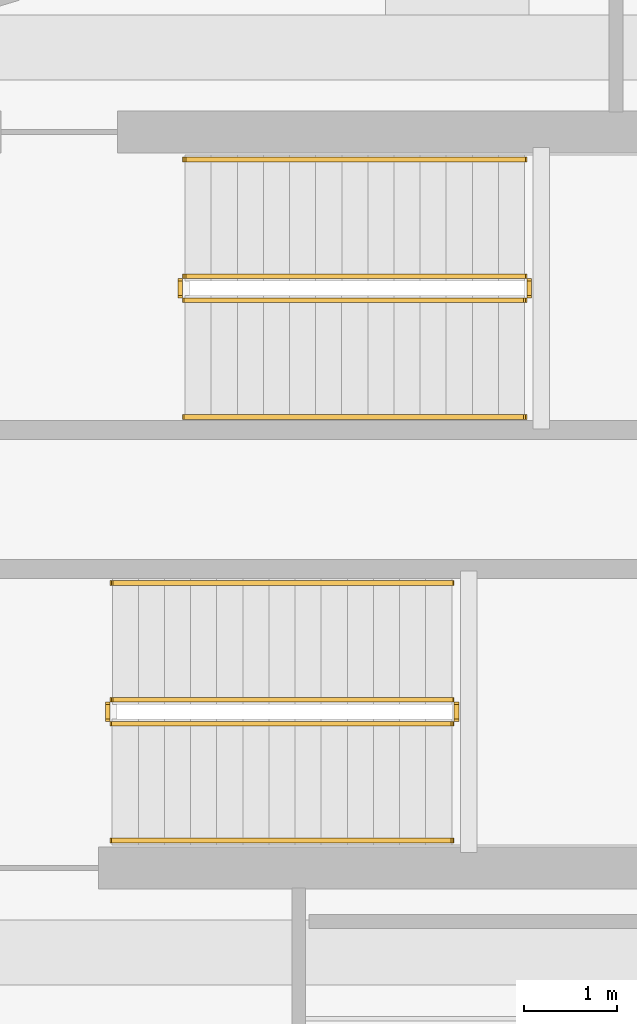
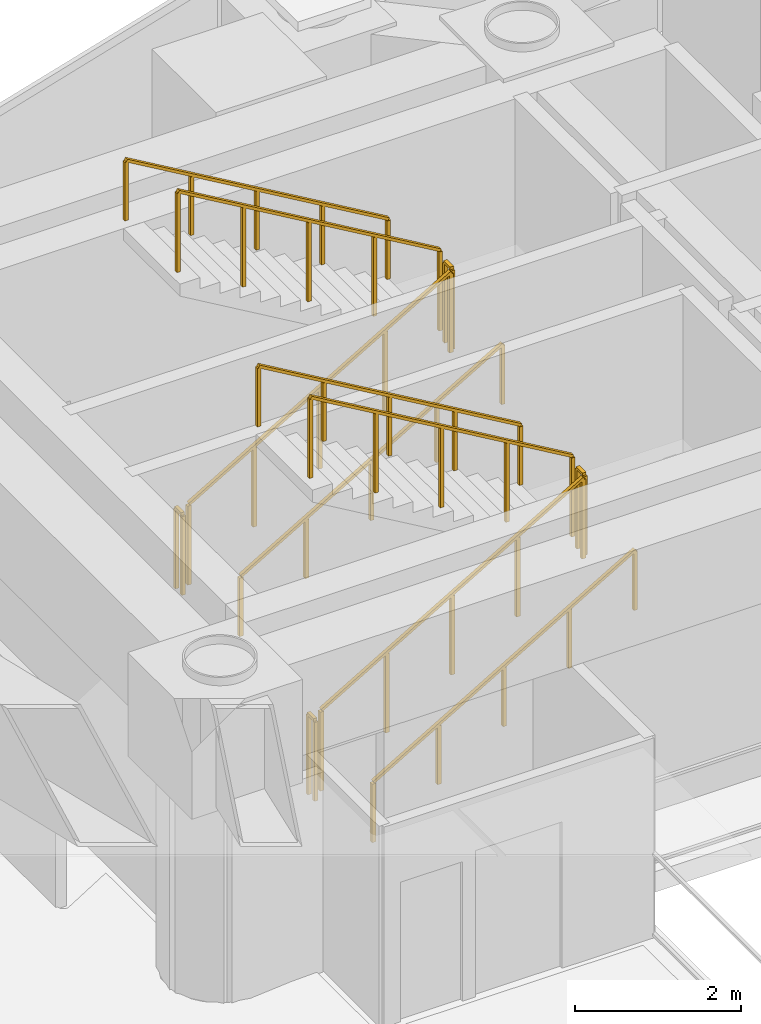
# One storey, part 20 of 20: 12 railings.
"""IFC4 building model written with IfcOpenShell, lengths in metres."""

import ifcopenshell
import ifcopenshell.guid

model = None  # the IFC model being written
_history = None  # IfcOwnerHistory: only IFC2X3 demands one
_inside = {}  # id of a spatial element -> (the spatial element, [elements in it])
_under = {}  # id of a project, library or spatial element -> (it, [spatial elements below it])
_declared = {}  # id of a project -> (the project, [libraries it declares])
_typed = {}  # id of a type object -> (the type object, [elements of that type])
_made_of = {}  # id of a material, layer set ... -> (it, [elements and type objects made of it])


def new_model(schema):
    """Start an empty IFC model of exactly this schema.

    Asked for "IFC4X3", IfcOpenShell would pick the latest addendum, in which some entities
    have other attributes; the version numbers below select the first issue.
    IFC2X3 requires an IfcOwnerHistory on every rooted entity: one is made here for all.
    """
    global model, _history
    if schema == "IFC4X3":
        model = ifcopenshell.file(schema_version=(4, 3, 0, 0))
    else:
        model = ifcopenshell.file(schema=schema)
    _inside.clear()
    _under.clear()
    _declared.clear()
    _typed.clear()
    _made_of.clear()
    _history = None
    if model.schema == "IFC2X3":
        org = make("IfcOrganization", Name="unknown")
        user = make(
            "IfcPersonAndOrganization",
            ThePerson=make("IfcPerson", FamilyName="unknown"),
            TheOrganization=org,
        )
        app = make(
            "IfcApplication",
            ApplicationDeveloper=org,
            Version="unknown",
            ApplicationFullName="unknown",
            ApplicationIdentifier="unknown",
        )
        _history = make(
            "IfcOwnerHistory",
            OwningUser=user,
            OwningApplication=app,
            ChangeAction="ADDED",
            CreationDate=0,
        )
    return model


def make(cls, **values):
    """One entity of the class cls with the attributes given. An attribute that is None is left unset."""
    return model.create_entity(
        cls, **{name: value for name, value in values.items() if value is not None}
    )


def rooted(cls, **values):
    """An entity with a GlobalId (a new one), such as an element, a storey or a relation."""
    return make(cls, GlobalId=ifcopenshell.guid.new(), OwnerHistory=_history, **values)


def si_unit(unit_type, name, prefix=None):
    """IfcSIUnit, for example si_unit("LENGTHUNIT", "METRE", prefix="MILLI")."""
    return make("IfcSIUnit", UnitType=unit_type, Prefix=prefix, Name=name)


def assignment(units):
    """IfcUnitAssignment: the units of a project."""
    return None if units is None else make("IfcUnitAssignment", Units=units)


def point(xyz):
    """IfcCartesianPoint."""
    return None if xyz is None else make("IfcCartesianPoint", Coordinates=xyz)


def direction(xyz):
    """IfcDirection."""
    return None if xyz is None else make("IfcDirection", DirectionRatios=xyz)


def frame(location, z_axis=None, x_axis=None):
    """IfcAxis2Placement3D, a coordinate frame: its origin and axes. An axis left out is left unset."""
    return make(
        "IfcAxis2Placement3D",
        Location=point(location),
        Axis=direction(z_axis),
        RefDirection=direction(x_axis),
    )


def frame_2d(location, x_axis=None):
    """IfcAxis2Placement2D, a coordinate frame in the plane: its origin and x axis."""
    return make(
        "IfcAxis2Placement2D", Location=point(location), RefDirection=direction(x_axis)
    )


def origin():
    """The frame at (0, 0, 0) with its axes left unset."""
    return frame((0.0, 0.0, 0.0))


def origin_2d():
    """The frame at (0, 0) in the plane with its x axis left unset."""
    return frame_2d((0.0, 0.0))


def place(relative_to, where):
    """IfcLocalPlacement: puts the frame where relative to a parent placement (None: the world)."""
    return make(
        "IfcLocalPlacement", PlacementRelTo=relative_to, RelativePlacement=where
    )


def context(
    kind, dimensions, precision=None, world=None, true_north=None, identifier=None
):
    """IfcGeometricRepresentationContext, for example the 3D "Model" context."""
    return make(
        "IfcGeometricRepresentationContext",
        ContextIdentifier=identifier,
        ContextType=kind,
        CoordinateSpaceDimension=dimensions,
        Precision=precision,
        WorldCoordinateSystem=world,
        TrueNorth=true_north,
    )


def subcontext(parent, identifier, kind, view, scale=None):
    """IfcGeometricRepresentationSubContext, for example "Body" below "Model"."""
    return make(
        "IfcGeometricRepresentationSubContext",
        ContextIdentifier=identifier,
        ContextType=kind,
        ParentContext=parent,
        TargetScale=scale,
        TargetView=view,
    )


def project(units=None, contexts=None):
    """IfcProject with its units and contexts."""
    return rooted(
        "IfcProject",
        Name="project",
        RepresentationContexts=contexts,
        UnitsInContext=assignment(units),
    )


def spatial(cls, under=None, at=None, **own):
    """A site, building, storey or space (cls), placed at a placement, below another one or the project."""
    s = rooted(cls, ObjectPlacement=at, **own)
    if under is not None:
        _under.setdefault(under.id(), (under, []))[1].append(s)
    return s


def profile(cls, at=None, kind="AREA", **sizes):
    """A parametric profile (cls). Its sizes go by their IFC names, for example OverallWidth=200.0."""
    return make(cls, ProfileType=kind, Position=at, **sizes)


def rectangle(**sizes):
    """IfcRectangleProfileDef."""
    return profile("IfcRectangleProfileDef", **sizes)


def extrude(swept, where, along, depth):
    """IfcExtrudedAreaSolid: the profile swept, set in the frame where, extruded along a direction by depth."""
    return make(
        "IfcExtrudedAreaSolid",
        SweptArea=swept,
        Position=where,
        ExtrudedDirection=direction(along),
        Depth=depth,
    )


def shape(context_of_items, identifier, shape_type, items):
    """IfcShapeRepresentation: the items that make up one representation, for example the "Body"."""
    return make(
        "IfcShapeRepresentation",
        ContextOfItems=context_of_items,
        RepresentationIdentifier=identifier,
        RepresentationType=shape_type,
        Items=items,
    )


def material(Name=None, Category=None):
    """IfcMaterial."""
    return make("IfcMaterial", Name=Name, Category=Category)


def made_of(thing, what):
    """Note that an element or type object is made of a material, layer set ...; save() writes the relation."""
    if what is not None:
        _made_of.setdefault(what.id(), (what, []))[1].append(thing)
    return thing


def type_object(cls, material=None, **own):
    """A type object (cls), such as IfcWallType, which elements share."""
    return made_of(rooted(cls, **own), material)


def element(
    cls,
    number,
    at=None,
    inside=None,
    cuts=None,
    type_object=None,
    material=None,
    context=None,
    identifier="Body",
    shape_type=None,
    held_by="IfcProductDefinitionShape",
    body=None,
    shapes=None,
    **own,
):
    """One element of the class cls, such as IfcWall. Its Tag is "e" and its number.

    at: its placement. inside: the storey or other place that contains it. cuts: it is an
    opening in that element (IfcRelVoidsElement). A single representation is given by context,
    identifier, shape_type and body (its items); several are given by shapes. held_by: the class
    of the entity that holds the representations. save() writes the other relations.
    """
    e = rooted(cls, Tag="e%d" % number, ObjectPlacement=at, **own)
    if body is not None:
        shapes = [shape(context, identifier, shape_type, body)]
    if shapes is not None:
        e.Representation = make(held_by, Representations=shapes)
    if inside is not None:
        _inside.setdefault(inside.id(), (inside, []))[1].append(e)
    if cuts is not None:
        rooted(
            "IfcRelVoidsElement", RelatingBuildingElement=cuts, RelatedOpeningElement=e
        )
    if type_object is not None:
        _typed.setdefault(type_object.id(), (type_object, []))[1].append(e)
    return made_of(e, material)


def aggregate(whole, parts):
    """IfcRelAggregates: a whole, such as a stair, and the parts it consists of."""
    return rooted("IfcRelAggregates", RelatingObject=whole, RelatedObjects=parts)


def save(model, path):
    """Write the relations noted so far, then the file.

    IfcRelAggregates (storeys below a building ...), IfcRelContainedInSpatialStructure (elements
    in a storey), IfcRelDefinesByType, IfcRelAssociatesMaterial and IfcRelDeclares: one each for
    every whole, place, type object, material and project.
    """
    for whole, parts in _under.values():
        aggregate(whole, parts)
    for where, things in _inside.values():
        rooted(
            "IfcRelContainedInSpatialStructure",
            RelatedElements=things,
            RelatingStructure=where,
        )
    for kind, things in _typed.values():
        rooted("IfcRelDefinesByType", RelatedObjects=things, RelatingType=kind)
    for what, things in _made_of.values():
        rooted("IfcRelAssociatesMaterial", RelatedObjects=things, RelatingMaterial=what)
    for by, libraries in _declared.values():
        rooted("IfcRelDeclares", RelatingContext=by, RelatedDefinitions=libraries)
    model.write(path)


model = new_model("IFC4")

# Units and contexts
model_context = context("Model", 3, precision=1e-05, world=origin(), true_north=direction((0.0, 1.0)))
body_context = subcontext(model_context, "Body", "Model", "MODEL_VIEW")
ifc_project = project(units=[si_unit("LENGTHUNIT", "METRE"), si_unit("AREAUNIT", "SQUARE_METRE"), si_unit("VOLUMEUNIT", "CUBIC_METRE"), si_unit("PLANEANGLEUNIT", "RADIAN"), si_unit("MASSUNIT", "GRAM", prefix="KILO")], contexts=[model_context])

# Site, building, storey
site_placement = place(None, origin())
site = spatial("IfcSite", under=ifc_project, at=site_placement, CompositionType="ELEMENT")
building_placement = place(site_placement, origin())
building = spatial("IfcBuilding", under=site, at=building_placement, Name="Qianvela Tower", CompositionType="ELEMENT")
storey_placement = place(building_placement, frame((0.0, 0.0, 321.300048828125)))
storey = spatial("IfcBuildingStorey", under=building, at=storey_placement, Name="L83", CompositionType="ELEMENT", Elevation=321.300048828125)

# Railings
ifc_material_1 = material(Name="Painted Tubular Steel Q355B", Category="steel")
railing_type_1 = type_object("IfcRailingType", Name="RL-STAIR-GUARD-1200", PredefinedType="GUARDRAIL", material=ifc_material_1)
railing_1_placement = place(storey_placement, frame((32.199951171875, 30.840087890625, 0.164306640625)))
element("IfcRailing", 1, at=railing_1_placement, inside=storey, type_object=railing_type_1, Name="L83 ST-1 stair guard 1", PredefinedType="GUARDRAIL", context=body_context, shape_type="SweptSolid", body=[
    extrude(rectangle(XDim=0.050048828125, YDim=0.0400390625, at=origin_2d()), frame((0.0, 0.0, 1.179931640625), z_axis=(0.862504707072, 0.0, 0.506049039401), x_axis=(0.0, 1.0, 0.0)), (0.0, 0.0, 1.0), 4.220458984375),
    extrude(rectangle(XDim=0.050048828125, YDim=0.050048828125, at=origin_2d()), origin(), (0.0, 0.0, 1.0), 1.159912109375),
    extrude(rectangle(XDim=0.050048828125, YDim=0.050048828125, at=origin_2d()), frame((0.91015625, 0.0, 0.533935546875)), (0.0, 0.0, 1.0), 1.159912109375),
    extrude(rectangle(XDim=0.050048828125, YDim=0.050048828125, at=origin_2d()), frame((1.820068359375, 0.0, 1.06787109375)), (0.0, 0.0, 1.0), 1.159912109375),
    extrude(rectangle(XDim=0.050048828125, YDim=0.050048828125, at=origin_2d()), frame((2.72998046875, 0.0, 1.601806640625)), (0.0, 0.0, 1.0), 1.159912109375),
    extrude(rectangle(XDim=0.050048828125, YDim=0.050048828125, at=origin_2d()), frame((3.64013671875, 0.0, 2.1357421875)), (0.0, 0.0, 1.0), 1.159912109375),
])
railing_2_placement = place(storey_placement, frame((35.889892578125, 30.889892578125, 2.300048828125)))
element("IfcRailing", 2, at=railing_2_placement, inside=storey, type_object=railing_type_1, Name="L83 ST-1 stair guard 2", PredefinedType="GUARDRAIL", context=body_context, shape_type="SweptSolid", body=[
    extrude(rectangle(XDim=0.050048828125, YDim=0.0400390625, at=origin_2d()), frame((0.0, 0.0, 1.179931640625), z_axis=(0.0, 1.0, 0.0), x_axis=(-1.0, 0.0, 0.0)), (0.0, 0.0, 1.0), 0.16015625),
    extrude(rectangle(XDim=0.050048828125, YDim=0.050048828125, at=origin_2d()), origin(), (0.0, 0.0, 1.0), 1.159912109375),
    extrude(rectangle(XDim=0.050048828125, YDim=0.050048828125, at=origin_2d()), frame((0.0, 0.16015625, 0.0)), (0.0, 0.0, 1.0), 1.159912109375),
])
railing_3_placement = place(storey_placement, frame((35.840087890625, 31.10009765625, 2.46435546875)))
element("IfcRailing", 3, at=railing_3_placement, inside=storey, type_object=railing_type_1, Name="L83 ST-1 stair guard 3", PredefinedType="GUARDRAIL", context=body_context, shape_type="SweptSolid", body=[
    extrude(rectangle(XDim=0.050048828125, YDim=0.0400390625, at=origin_2d()), frame((0.0, 0.0, 1.179931640625), z_axis=(-0.862529955373, 0.0, 0.506006004), x_axis=(0.0, -1.0, 0.0)), (0.0, 0.0, 1.0), 4.22021484375),
    extrude(rectangle(XDim=0.050048828125, YDim=0.050048828125, at=origin_2d()), origin(), (0.0, 0.0, 1.0), 1.159912109375),
    extrude(rectangle(XDim=0.050048828125, YDim=0.050048828125, at=origin_2d()), frame((-0.91015625, 0.0, 0.533935546875)), (0.0, 0.0, 1.0), 1.159912109375),
    extrude(rectangle(XDim=0.050048828125, YDim=0.050048828125, at=origin_2d()), frame((-1.820068359375, 0.0, 1.06787109375)), (0.0, 0.0, 1.0), 1.159912109375),
    extrude(rectangle(XDim=0.050048828125, YDim=0.050048828125, at=origin_2d()), frame((-2.72998046875, 0.0, 1.6015625)), (0.0, 0.0, 1.0), 1.159912109375),
    extrude(rectangle(XDim=0.050048828125, YDim=0.050048828125, at=origin_2d()), frame((-3.64013671875, 0.0, 2.135498046875)), (0.0, 0.0, 1.0), 1.159912109375),
])
railing_4_placement = place(storey_placement, frame((32.14990234375, 30.889892578125, 0.0)))
element("IfcRailing", 4, at=railing_4_placement, inside=storey, type_object=railing_type_1, Name="L83 ST-1 stair guard 4", PredefinedType="GUARDRAIL", context=body_context, shape_type="SweptSolid", body=[
    extrude(rectangle(XDim=0.050048828125, YDim=0.0400390625, at=origin_2d()), frame((0.0, 0.0, 1.179931640625), z_axis=(0.0, 1.0, 0.0), x_axis=(-1.0, 0.0, 0.0)), (0.0, 0.0, 1.0), 0.16015625),
    extrude(rectangle(XDim=0.050048828125, YDim=0.050048828125, at=origin_2d()), origin(), (0.0, 0.0, 1.0), 1.159912109375),
    extrude(rectangle(XDim=0.050048828125, YDim=0.050048828125, at=origin_2d()), frame((0.0, 0.16015625, 0.0)), (0.0, 0.0, 1.0), 1.159912109375),
])
railing_5_placement = place(storey_placement, frame((31.419921875, 26.300048828125, 0.164306640625)))
element("IfcRailing", 5, at=railing_5_placement, inside=storey, type_object=railing_type_1, Name="L83 ST-2 stair guard 1", PredefinedType="GUARDRAIL", context=body_context, shape_type="SweptSolid", body=[
    extrude(rectangle(XDim=0.050048828125, YDim=0.0400390625, at=origin_2d()), frame((0.0, 0.0, 1.179931640625), z_axis=(0.862504707072, 0.0, 0.506049039401), x_axis=(0.0, 1.0, 0.0)), (0.0, 0.0, 1.0), 4.220458984375),
    extrude(rectangle(XDim=0.050048828125, YDim=0.050048828125, at=origin_2d()), origin(), (0.0, 0.0, 1.0), 1.159912109375),
    extrude(rectangle(XDim=0.050048828125, YDim=0.050048828125, at=origin_2d()), frame((0.91015625, 0.0, 0.533935546875)), (0.0, 0.0, 1.0), 1.159912109375),
    extrude(rectangle(XDim=0.050048828125, YDim=0.050048828125, at=origin_2d()), frame((1.820068359375, 0.0, 1.06787109375)), (0.0, 0.0, 1.0), 1.159912109375),
    extrude(rectangle(XDim=0.050048828125, YDim=0.050048828125, at=origin_2d()), frame((2.72998046875, 0.0, 1.601806640625)), (0.0, 0.0, 1.0), 1.159912109375),
    extrude(rectangle(XDim=0.050048828125, YDim=0.050048828125, at=origin_2d()), frame((3.64013671875, 0.0, 2.1357421875)), (0.0, 0.0, 1.0), 1.159912109375),
])
railing_6_placement = place(storey_placement, frame((35.110107421875, 26.35009765625, 2.300048828125)))
element("IfcRailing", 6, at=railing_6_placement, inside=storey, type_object=railing_type_1, Name="L83 ST-2 stair guard 2", PredefinedType="GUARDRAIL", context=body_context, shape_type="SweptSolid", body=[
    extrude(rectangle(XDim=0.050048828125, YDim=0.0400390625, at=origin_2d()), frame((0.0, 0.0, 1.179931640625), z_axis=(0.0, 1.0, 0.0), x_axis=(-1.0, 0.0, 0.0)), (0.0, 0.0, 1.0), 0.159912109375),
    extrude(rectangle(XDim=0.050048828125, YDim=0.050048828125, at=origin_2d()), origin(), (0.0, 0.0, 1.0), 1.159912109375),
    extrude(rectangle(XDim=0.050048828125, YDim=0.050048828125, at=origin_2d()), frame((0.0, 0.159912109375, 0.0)), (0.0, 0.0, 1.0), 1.159912109375),
])
railing_7_placement = place(storey_placement, frame((35.06005859375, 26.56005859375, 2.46435546875)))
element("IfcRailing", 7, at=railing_7_placement, inside=storey, type_object=railing_type_1, Name="L83 ST-2 stair guard 3", PredefinedType="GUARDRAIL", context=body_context, shape_type="SweptSolid", body=[
    extrude(rectangle(XDim=0.050048828125, YDim=0.0400390625, at=origin_2d()), frame((0.0, 0.0, 1.179931640625), z_axis=(-0.862529955373, 0.0, 0.506006004), x_axis=(0.0, -1.0, 0.0)), (0.0, 0.0, 1.0), 4.22021484375),
    extrude(rectangle(XDim=0.050048828125, YDim=0.050048828125, at=origin_2d()), origin(), (0.0, 0.0, 1.0), 1.159912109375),
    extrude(rectangle(XDim=0.050048828125, YDim=0.050048828125, at=origin_2d()), frame((-0.91015625, 0.0, 0.533935546875)), (0.0, 0.0, 1.0), 1.159912109375),
    extrude(rectangle(XDim=0.050048828125, YDim=0.050048828125, at=origin_2d()), frame((-1.820068359375, 0.0, 1.06787109375)), (0.0, 0.0, 1.0), 1.159912109375),
    extrude(rectangle(XDim=0.050048828125, YDim=0.050048828125, at=origin_2d()), frame((-2.72998046875, 0.0, 1.6015625)), (0.0, 0.0, 1.0), 1.159912109375),
    extrude(rectangle(XDim=0.050048828125, YDim=0.050048828125, at=origin_2d()), frame((-3.64013671875, 0.0, 2.135498046875)), (0.0, 0.0, 1.0), 1.159912109375),
])
railing_8_placement = place(storey_placement, frame((31.3701171875, 26.35009765625, 0.0)))
element("IfcRailing", 8, at=railing_8_placement, inside=storey, type_object=railing_type_1, Name="L83 ST-2 stair guard 4", PredefinedType="GUARDRAIL", context=body_context, shape_type="SweptSolid", body=[
    extrude(rectangle(XDim=0.050048828125, YDim=0.0400390625, at=origin_2d()), frame((0.0, 0.0, 1.179931640625), z_axis=(0.0, 1.0, 0.0), x_axis=(-1.0, 0.0, 0.0)), (0.0, 0.0, 1.0), 0.159912109375),
    extrude(rectangle(XDim=0.050048828125, YDim=0.050048828125, at=origin_2d()), origin(), (0.0, 0.0, 1.0), 1.159912109375),
    extrude(rectangle(XDim=0.050048828125, YDim=0.050048828125, at=origin_2d()), frame((0.0, 0.159912109375, 0.0)), (0.0, 0.0, 1.0), 1.159912109375),
])
ifc_material_2 = material(Name="Brushed Stainless Steel 304", Category="steel")
railing_type_2 = type_object("IfcRailingType", Name="RL-STAIR-HANDRAIL-900", PredefinedType="HANDRAIL", material=ifc_material_2)
railing_9_placement = place(storey_placement, frame((32.199951171875, 29.590087890625, 0.164306640625)))
element("IfcRailing", 9, at=railing_9_placement, inside=storey, type_object=railing_type_2, Name="L83 ST-1 stair handrail 1", PredefinedType="HANDRAIL", context=body_context, shape_type="SweptSolid", body=[
    extrude(rectangle(XDim=0.050048828125, YDim=0.0400390625, at=origin_2d()), frame((0.0, 0.0, 0.8798828125), z_axis=(0.862504707072, 0.0, 0.506049039401), x_axis=(0.0, 1.0, 0.0)), (0.0, 0.0, 1.0), 4.220458984375),
    extrude(rectangle(XDim=0.050048828125, YDim=0.050048828125, at=origin_2d()), origin(), (0.0, 0.0, 1.0), 0.85986328125),
    extrude(rectangle(XDim=0.050048828125, YDim=0.050048828125, at=origin_2d()), frame((0.91015625, 0.0, 0.533935546875)), (0.0, 0.0, 1.0), 0.85986328125),
    extrude(rectangle(XDim=0.050048828125, YDim=0.050048828125, at=origin_2d()), frame((1.820068359375, 0.0, 1.06787109375)), (0.0, 0.0, 1.0), 0.85986328125),
    extrude(rectangle(XDim=0.050048828125, YDim=0.050048828125, at=origin_2d()), frame((2.72998046875, 0.0, 1.601806640625)), (0.0, 0.0, 1.0), 0.85986328125),
    extrude(rectangle(XDim=0.050048828125, YDim=0.050048828125, at=origin_2d()), frame((3.64013671875, 0.0, 2.1357421875)), (0.0, 0.0, 1.0), 0.85986328125),
])
railing_10_placement = place(storey_placement, frame((35.840087890625, 32.35009765625, 2.46435546875)))
element("IfcRailing", 10, at=railing_10_placement, inside=storey, type_object=railing_type_2, Name="L83 ST-1 stair handrail 2", PredefinedType="HANDRAIL", context=body_context, shape_type="SweptSolid", body=[
    extrude(rectangle(XDim=0.050048828125, YDim=0.0400390625, at=origin_2d()), frame((0.0, 0.0, 0.8798828125), z_axis=(-0.862529955373, 0.0, 0.506006004), x_axis=(0.0, -1.0, 0.0)), (0.0, 0.0, 1.0), 4.22021484375),
    extrude(rectangle(XDim=0.050048828125, YDim=0.050048828125, at=origin_2d()), origin(), (0.0, 0.0, 1.0), 0.85986328125),
    extrude(rectangle(XDim=0.050048828125, YDim=0.050048828125, at=origin_2d()), frame((-0.91015625, 0.0, 0.533935546875)), (0.0, 0.0, 1.0), 0.85986328125),
    extrude(rectangle(XDim=0.050048828125, YDim=0.050048828125, at=origin_2d()), frame((-1.820068359375, 0.0, 1.06787109375)), (0.0, 0.0, 1.0), 0.85986328125),
    extrude(rectangle(XDim=0.050048828125, YDim=0.050048828125, at=origin_2d()), frame((-2.72998046875, 0.0, 1.6015625)), (0.0, 0.0, 1.0), 0.85986328125),
    extrude(rectangle(XDim=0.050048828125, YDim=0.050048828125, at=origin_2d()), frame((-3.64013671875, 0.0, 2.135498046875)), (0.0, 0.0, 1.0), 0.85986328125),
])
railing_11_placement = place(storey_placement, frame((31.419921875, 25.050048828125, 0.164306640625)))
element("IfcRailing", 11, at=railing_11_placement, inside=storey, type_object=railing_type_2, Name="L83 ST-2 stair handrail 1", PredefinedType="HANDRAIL", context=body_context, shape_type="SweptSolid", body=[
    extrude(rectangle(XDim=0.050048828125, YDim=0.0400390625, at=origin_2d()), frame((0.0, 0.0, 0.8798828125), z_axis=(0.862504707072, 0.0, 0.506049039401), x_axis=(0.0, 1.0, 0.0)), (0.0, 0.0, 1.0), 4.220458984375),
    extrude(rectangle(XDim=0.050048828125, YDim=0.050048828125, at=origin_2d()), origin(), (0.0, 0.0, 1.0), 0.85986328125),
    extrude(rectangle(XDim=0.050048828125, YDim=0.050048828125, at=origin_2d()), frame((0.91015625, 0.0, 0.533935546875)), (0.0, 0.0, 1.0), 0.85986328125),
    extrude(rectangle(XDim=0.050048828125, YDim=0.050048828125, at=origin_2d()), frame((1.820068359375, 0.0, 1.06787109375)), (0.0, 0.0, 1.0), 0.85986328125),
    extrude(rectangle(XDim=0.050048828125, YDim=0.050048828125, at=origin_2d()), frame((2.72998046875, 0.0, 1.601806640625)), (0.0, 0.0, 1.0), 0.85986328125),
    extrude(rectangle(XDim=0.050048828125, YDim=0.050048828125, at=origin_2d()), frame((3.64013671875, 0.0, 2.1357421875)), (0.0, 0.0, 1.0), 0.85986328125),
])
railing_12_placement = place(storey_placement, frame((35.06005859375, 27.81005859375, 2.46435546875)))
element("IfcRailing", 12, at=railing_12_placement, inside=storey, type_object=railing_type_2, Name="L83 ST-2 stair handrail 2", PredefinedType="HANDRAIL", context=body_context, shape_type="SweptSolid", body=[
    extrude(rectangle(XDim=0.050048828125, YDim=0.0400390625, at=origin_2d()), frame((0.0, 0.0, 0.8798828125), z_axis=(-0.862529955373, 0.0, 0.506006004), x_axis=(0.0, -1.0, 0.0)), (0.0, 0.0, 1.0), 4.22021484375),
    extrude(rectangle(XDim=0.050048828125, YDim=0.050048828125, at=origin_2d()), origin(), (0.0, 0.0, 1.0), 0.85986328125),
    extrude(rectangle(XDim=0.050048828125, YDim=0.050048828125, at=origin_2d()), frame((-0.91015625, 0.0, 0.533935546875)), (0.0, 0.0, 1.0), 0.85986328125),
    extrude(rectangle(XDim=0.050048828125, YDim=0.050048828125, at=origin_2d()), frame((-1.820068359375, 0.0, 1.06787109375)), (0.0, 0.0, 1.0), 0.85986328125),
    extrude(rectangle(XDim=0.050048828125, YDim=0.050048828125, at=origin_2d()), frame((-2.72998046875, 0.0, 1.6015625)), (0.0, 0.0, 1.0), 0.85986328125),
    extrude(rectangle(XDim=0.050048828125, YDim=0.050048828125, at=origin_2d()), frame((-3.64013671875, 0.0, 2.135498046875)), (0.0, 0.0, 1.0), 0.85986328125),
])

save(model, "model.ifc")
